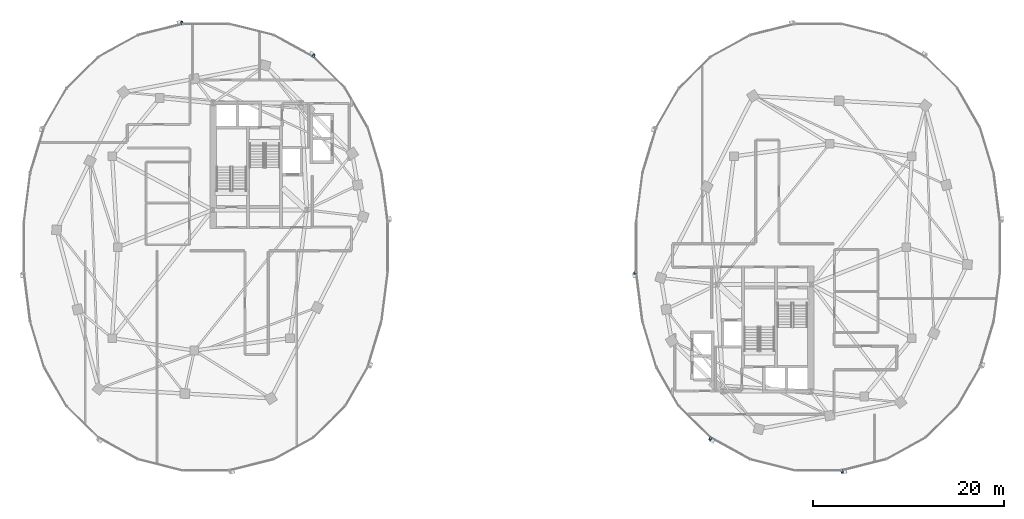
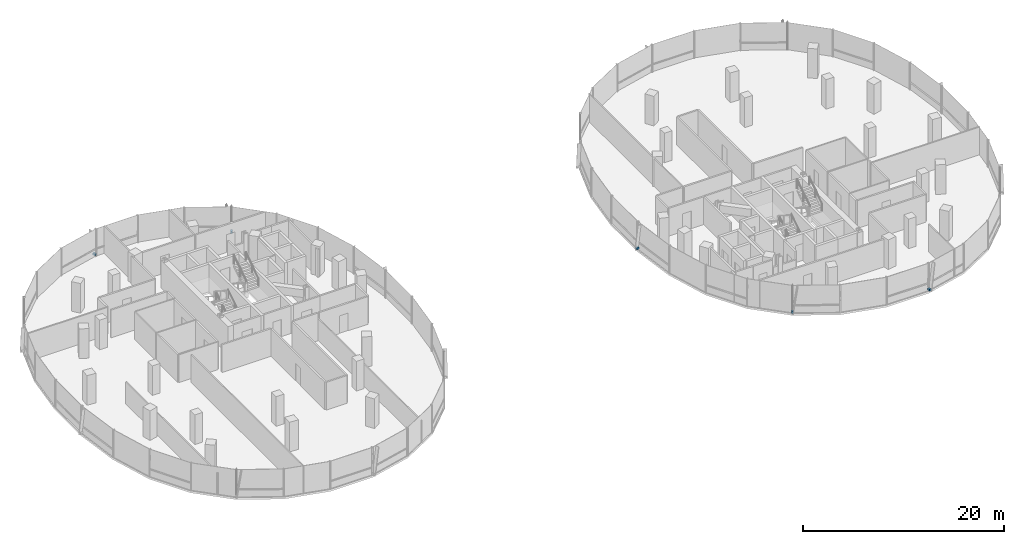
# One storey, part 16 of 22: 5 discrete accessories.
"""IFC4 building model written with IfcOpenShell, lengths in metres."""

from ifc_helpers import new_model, si_unit, direction, frame, origin, origin_2d, place, context, subcontext, project, spatial, rectangle, extrude, material, type_object, element, save


model = new_model("IFC4")

# Units and contexts
model_context = context("Model", 3, precision=1e-05, world=origin(), true_north=direction((0.0, 1.0)))
body_context = subcontext(model_context, "Body", "Model", "MODEL_VIEW")
ifc_project = project(units=[si_unit("LENGTHUNIT", "METRE"), si_unit("AREAUNIT", "SQUARE_METRE"), si_unit("VOLUMEUNIT", "CUBIC_METRE"), si_unit("PLANEANGLEUNIT", "RADIAN"), si_unit("MASSUNIT", "GRAM", prefix="KILO"), si_unit("THERMODYNAMICTEMPERATUREUNIT", "KELVIN"), si_unit("POWERUNIT", "WATT")], contexts=[model_context])

# Site, building, storey
site_placement = place(None, origin())
site = spatial("IfcSite", under=ifc_project, at=site_placement, CompositionType="ELEMENT")
building_placement = place(site_placement, origin())
building = spatial("IfcBuilding", under=site, at=building_placement, Name="Cundina Bronze Exchange", CompositionType="ELEMENT")
storey_placement = place(building_placement, frame((0.0, 0.0, 140.39990234375)))
storey = spatial("IfcBuildingStorey", under=building, at=storey_placement, Name="L36", CompositionType="ELEMENT", Elevation=140.39990234375)

# Discrete accessories
ifc_material = material(Name="Anodised Bronze Aluminium 6063-T6", Category="aluminium")
discrete_accessory_type = type_object("IfcDiscreteAccessoryType", Name="ACC-BRK-FIN", PredefinedType="BRACKET", material=ifc_material)
for number, where, z_axis, x_axis, name in (
    (1, (-20.733154296875, 20.015380859375, 0.10009765625), (0.0, 0.0, 1.0), (-0.875869093438, 0.482548786301, 0.0), "L36 Fin Support Bracket 5"),
    (2, (-34.492919921875, 23.44970703125, 0.10009765625), (0.0, 0.0, 1.0), (-0.970092713791, -0.242734683656, 0.0), "L36 Fin Support Bracket 1"),
    (3, (12.874267578125, -2.69189453125, 0.10009765625), (0.0, 0.0, 1.0), (0.126475984253, -0.9919696696, 0.0), "L36 Fin Support Bracket 1"),
    (4, (20.733154296875, -20.015380859375, 0.10009765625), (0.0, 0.0, 1.0), (0.875869093438, -0.482548786301, 0.0), "L36 Fin Support Bracket 5"),
    (5, (34.492919921875, -23.44970703125, 0.10009765625), (0.0, 0.0, 1.0), (0.970092713791, 0.242734683656, 0.0), "L36 Fin Support Bracket 1"),
):
    element("IfcDiscreteAccessory", number, at=place(storey_placement, frame(where, z_axis=z_axis, x_axis=x_axis)), inside=storey, type_object=discrete_accessory_type, Name=name, PredefinedType="BRACKET", context=body_context, shape_type="SweptSolid", body=[
        extrude(rectangle(XDim=0.219970703125, YDim=0.320068359375, at=origin_2d()), origin(), (0.0, 0.0, 1.0), 0.239990234375),
    ])

save(model, "model.ifc")
